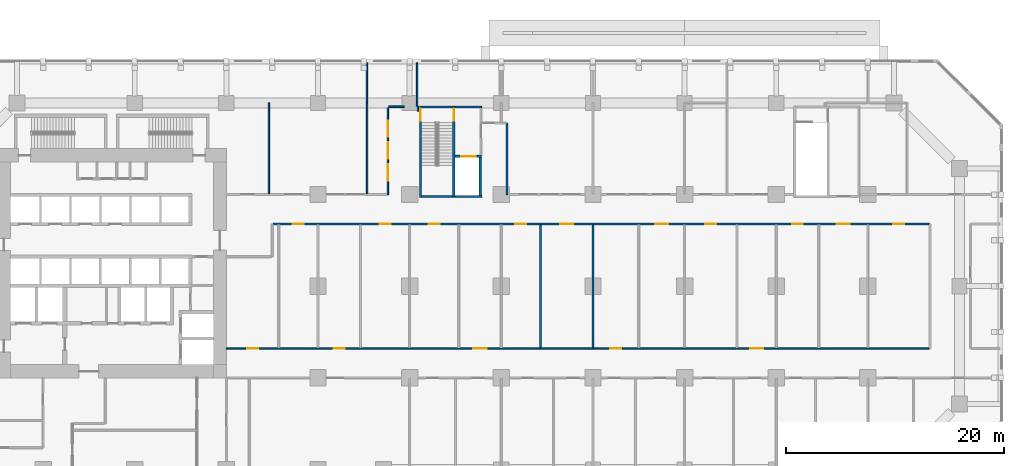
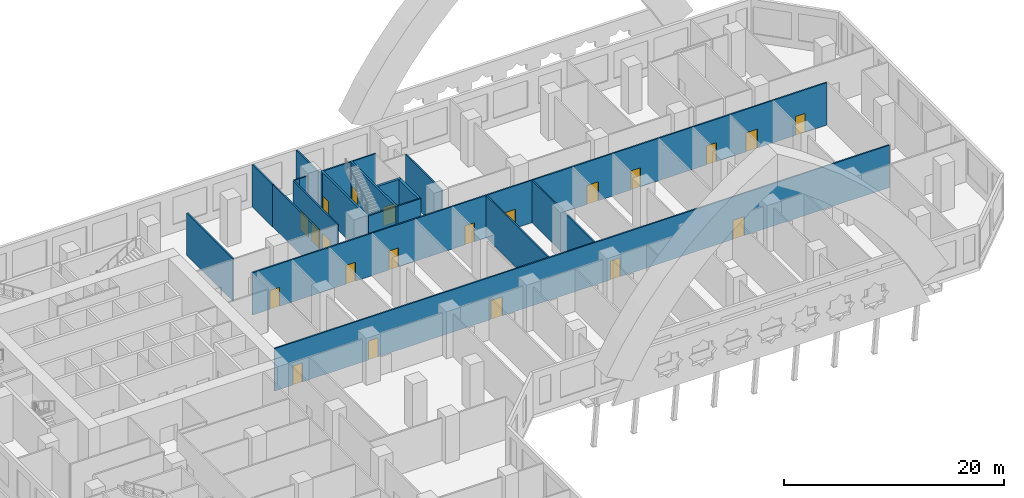
# One storey, part 13 of 25: 21 doors, 21 walls, 21 openings.
"""IFC4 building model written with IfcOpenShell, lengths in metres."""

from ifc_helpers import new_model, si_unit, direction, frame, frame_2d, origin, place, context, subcontext, project, spatial, rectangle, extrude, material, layer, layer_set, type_object, element, fill, save


model = new_model("IFC4")

# Units and contexts
model_context = context("Model", 3, precision=1e-05, world=origin(), true_north=direction((0.0, 1.0)))
body_context = subcontext(model_context, "Body", "Model", "MODEL_VIEW")
ifc_project = project(units=[si_unit("LENGTHUNIT", "METRE"), si_unit("AREAUNIT", "SQUARE_METRE"), si_unit("VOLUMEUNIT", "CUBIC_METRE"), si_unit("PLANEANGLEUNIT", "RADIAN"), si_unit("MASSUNIT", "GRAM", prefix="KILO")], contexts=[model_context])

# Site, building, storey
site_placement = place(None, origin())
site = spatial("IfcSite", under=ifc_project, at=site_placement, CompositionType="ELEMENT")
building_placement = place(site_placement, origin())
building = spatial("IfcBuilding", under=site, at=building_placement, Name="Kawkab Arch Medical Tower", CompositionType="ELEMENT")
storey_placement = place(building_placement, frame((0.0, 0.0, 29.0)))
storey = spatial("IfcBuildingStorey", under=building, at=storey_placement, Name="L06", CompositionType="ELEMENT", Elevation=29.0)

# Wall, opening, door
ifc_material_1 = material(Name="Concrete C60/75", Category="concrete")
ifc_layer_1 = layer(ifc_material_1, 0.25)
ifc_layer_set_1 = layer_set([ifc_layer_1], Name="Concrete C60/75")
wall_type_1 = type_object("IfcWallType", Name="Core shear wall 250 C60/75", PredefinedType="SHEAR", material=ifc_layer_set_1)
wall_1_placement = place(storey_placement, frame((46.14990234375, -4.89990234375, 0.0), z_axis=(0.0, 0.0, 1.0), x_axis=(1.0, 0.0, 0.0)))
wall_1 = element("IfcWall", 1, at=wall_1_placement, inside=storey, type_object=wall_type_1, Name="L06 core shear wall", PredefinedType="SHEAR", context=body_context, shape_type="SweptSolid", body=[
    extrude(rectangle(XDim=2.4501953125, YDim=0.25, at=frame_2d((1.22509765625, 0.0))), origin(), (0.0, 0.0, 1.0), 4.699951171875),
])
opening_1_placement = place(wall_1_placement, frame((0.60009765625, 0.0, 0.0)))
opening_1 = element("IfcOpeningElement", 2, at=opening_1_placement, cuts=wall_1, Name="Opening LD2", PredefinedType="OPENING", context=body_context, shape_type="SweptSolid", body=[
    extrude(rectangle(XDim=1.300048828125, YDim=2.10009765625, at=frame_2d((0.64990234375, 1.050048828125))), frame((0.0, 0.135009765625, 0.0), z_axis=(0.0, -1.0, 0.0), x_axis=(1.0, 0.0, 0.0)), (0.0, 0.0, 1.0), 0.27001953125),
])
ifc_material_2 = material(Name="Stainless steel lift door leaf", Category="steel")
door_type_1 = type_object("IfcDoorType", Name="Lift landing door 1300", OperationType="DOUBLE_DOOR_SLIDING", PredefinedType="DOOR", material=ifc_material_2)
door_1_placement = place(opening_1_placement, origin())
door_1 = element("IfcDoor", 3, at=door_1_placement, inside=storey, type_object=door_type_1, Name="L06 Lift landing door SV1", OperationType="DOUBLE_DOOR_SLIDING", OverallHeight=2.10009765625, OverallWidth=1.300048828125, PredefinedType="DOOR", context=body_context, shape_type="SweptSolid", body=[
    extrude(rectangle(XDim=1.300048828125, YDim=2.10009765625, at=frame_2d((0.64990234375, 1.050048828125))), frame((0.0, 0.02490234375, 0.0), z_axis=(0.0, -1.0, 0.0), x_axis=(1.0, 0.0, 0.0)), (0.0, 0.0, 1.0), 0.050048828125),
])
fill(opening_1, door_1)

# Wall
wall_2_placement = place(storey_placement, frame((48.47509765625, -8.5, 0.0), z_axis=(0.0, 0.0, 1.0), x_axis=(0.0, 1.0, 0.0)))
element("IfcWall", 4, at=wall_2_placement, inside=storey, type_object=wall_type_1, Name="L06 core shear wall", PredefinedType="SHEAR", context=body_context, shape_type="SweptSolid", body=[
    extrude(rectangle(XDim=3.47509765625, YDim=0.25, at=frame_2d((1.737548828125, 0.0))), origin(), (0.0, 0.0, 1.0), 4.699951171875),
])

# Wall, openings, doors
ifc_material_3 = material(Name="Gypsum board partition on steel studs, mineral wool", Category="steel")
ifc_layer_2 = layer(ifc_material_3, 0.14990234375)
ifc_layer_set_2 = layer_set([ifc_layer_2], Name="Gypsum board partition on steel studs, mineral wool")
wall_type_2 = type_object("IfcWallType", Name="Partition 150", PredefinedType="PARTITIONING", material=ifc_layer_set_2)
wall_3_placement = place(storey_placement, frame((25.199951171875, -22.5, 0.0), z_axis=(0.0, 0.0, 1.0), x_axis=(1.0, 0.0, 0.0)))
wall_3 = element("IfcWall", 5, at=wall_3_placement, inside=storey, type_object=wall_type_2, Name="Partition 150 w044", PredefinedType="PARTITIONING", context=body_context, shape_type="SweptSolid", body=[
    extrude(rectangle(XDim=64.425048828125, YDim=0.14990234375, at=frame_2d((32.21240234375, 0.0))), origin(), (0.0, 0.0, 1.0), 4.699951171875),
])
opening_2_placement = place(wall_3_placement, frame((1.89990234375, 0.0, 0.0)))
opening_2 = element("IfcOpeningElement", 6, at=opening_2_placement, cuts=wall_3, Name="Opening P06-023", PredefinedType="OPENING", context=body_context, shape_type="SweptSolid", body=[
    extrude(rectangle(XDim=1.0, YDim=2.10009765625, at=frame_2d((0.5, 1.050048828125))), frame((0.0, 0.0849609375, 0.0), z_axis=(0.0, -1.0, 0.0), x_axis=(1.0, 0.0, 0.0)), (0.0, 0.0, 1.0), 0.169921875),
])
opening_3_placement = place(wall_3_placement, frame((9.85009765625, 0.0, 0.0)))
opening_3 = element("IfcOpeningElement", 7, at=opening_3_placement, cuts=wall_3, Name="Opening P06-025", PredefinedType="OPENING", context=body_context, shape_type="SweptSolid", body=[
    extrude(rectangle(XDim=1.0, YDim=2.10009765625, at=frame_2d((0.5, 1.050048828125))), frame((0.0, 0.0849609375, 0.0), z_axis=(0.0, -1.0, 0.0), x_axis=(1.0, 0.0, 0.0)), (0.0, 0.0, 1.0), 0.169921875),
])
opening_4_placement = place(wall_3_placement, frame((22.64990234375, 0.0, 0.0)))
opening_4 = element("IfcOpeningElement", 8, at=opening_4_placement, cuts=wall_3, Name="Opening P06-076", PredefinedType="OPENING", context=body_context, shape_type="SweptSolid", body=[
    extrude(rectangle(XDim=1.199951171875, YDim=2.10009765625, at=frame_2d((0.60009765625, 1.050048828125))), frame((0.0, 0.0849609375, 0.0), z_axis=(0.0, -1.0, 0.0), x_axis=(1.0, 0.0, 0.0)), (0.0, 0.0, 1.0), 0.169921875),
])
opening_5_placement = place(wall_3_placement, frame((35.199951171875, 0.0, 0.0)))
opening_5 = element("IfcOpeningElement", 9, at=opening_5_placement, cuts=wall_3, Name="Opening P06-029", PredefinedType="OPENING", context=body_context, shape_type="SweptSolid", body=[
    extrude(rectangle(XDim=1.0, YDim=2.10009765625, at=frame_2d((0.5, 1.050048828125))), frame((0.0, 0.0849609375, 0.0), z_axis=(0.0, -1.0, 0.0), x_axis=(1.0, 0.0, 0.0)), (0.0, 0.0, 1.0), 0.169921875),
])
opening_6_placement = place(wall_3_placement, frame((48.0, 0.0, 0.0)))
opening_6 = element("IfcOpeningElement", 10, at=opening_6_placement, cuts=wall_3, Name="Opening P06-079", PredefinedType="OPENING", context=body_context, shape_type="SweptSolid", body=[
    extrude(rectangle(XDim=1.199951171875, YDim=2.10009765625, at=frame_2d((0.60009765625, 1.050048828125))), frame((0.0, 0.0849609375, 0.0), z_axis=(0.0, -1.0, 0.0), x_axis=(1.0, 0.0, 0.0)), (0.0, 0.0, 1.0), 0.169921875),
])
ifc_material_4 = material(Name="Hollow metal door leaf")
door_type_2 = type_object("IfcDoorType", Name="Single door 1000x2100 FD30S", OperationType="NOTDEFINED", PredefinedType="DOOR", material=ifc_material_4)
door_2_placement = place(opening_2_placement, origin())
door_2 = element("IfcDoor", 11, at=door_2_placement, inside=storey, type_object=door_type_2, Name="Door P06-023", OperationType="SINGLE_SWING_LEFT", OverallHeight=2.10009765625, OverallWidth=1.0, PredefinedType="DOOR", context=body_context, shape_type="SweptSolid", body=[
    extrude(rectangle(XDim=1.0, YDim=2.10009765625, at=frame_2d((0.5, 1.050048828125))), frame((0.0, 0.02490234375, 0.0), z_axis=(0.0, -1.0, 0.0), x_axis=(1.0, 0.0, 0.0)), (0.0, 0.0, 1.0), 0.050048828125),
])
fill(opening_2, door_2)
door_3_placement = place(opening_3_placement, origin())
door_3 = element("IfcDoor", 12, at=door_3_placement, inside=storey, type_object=door_type_2, Name="Door P06-025", OperationType="SINGLE_SWING_LEFT", OverallHeight=2.10009765625, OverallWidth=1.0, PredefinedType="DOOR", context=body_context, shape_type="SweptSolid", body=[
    extrude(rectangle(XDim=1.0, YDim=2.10009765625, at=frame_2d((0.5, 1.050048828125))), frame((0.0, 0.02490234375, 0.0), z_axis=(0.0, -1.0, 0.0), x_axis=(1.0, 0.0, 0.0)), (0.0, 0.0, 1.0), 0.050048828125),
])
fill(opening_3, door_3)
door_4_placement = place(opening_5_placement, origin())
door_4 = element("IfcDoor", 13, at=door_4_placement, inside=storey, type_object=door_type_2, Name="Door P06-029", OperationType="SINGLE_SWING_RIGHT", OverallHeight=2.10009765625, OverallWidth=1.0, PredefinedType="DOOR", context=body_context, shape_type="SweptSolid", body=[
    extrude(rectangle(XDim=1.0, YDim=2.10009765625, at=frame_2d((0.5, 1.050048828125))), frame((0.0, 0.02490234375, 0.0), z_axis=(0.0, -1.0, 0.0), x_axis=(1.0, 0.0, 0.0)), (0.0, 0.0, 1.0), 0.050048828125),
])
fill(opening_5, door_4)
ifc_material_5 = material(Name="Hollow metal door leaf")
door_type_3 = type_object("IfcDoorType", Name="Single door 1200x2100 FD30S", OperationType="NOTDEFINED", PredefinedType="DOOR", material=ifc_material_5)
door_5_placement = place(opening_4_placement, origin())
door_5 = element("IfcDoor", 14, at=door_5_placement, inside=storey, type_object=door_type_3, Name="Door P06-076", OperationType="SINGLE_SWING_LEFT", OverallHeight=2.10009765625, OverallWidth=1.199951171875, PredefinedType="DOOR", context=body_context, shape_type="SweptSolid", body=[
    extrude(rectangle(XDim=1.199951171875, YDim=2.10009765625, at=frame_2d((0.60009765625, 1.050048828125))), frame((0.0, 0.02490234375, 0.0), z_axis=(0.0, -1.0, 0.0), x_axis=(1.0, 0.0, 0.0)), (0.0, 0.0, 1.0), 0.050048828125),
])
fill(opening_4, door_5)
door_6_placement = place(opening_6_placement, origin())
door_6 = element("IfcDoor", 15, at=door_6_placement, inside=storey, type_object=door_type_3, Name="Door P06-079", OperationType="SINGLE_SWING_RIGHT", OverallHeight=2.10009765625, OverallWidth=1.199951171875, PredefinedType="DOOR", context=body_context, shape_type="SweptSolid", body=[
    extrude(rectangle(XDim=1.199951171875, YDim=2.10009765625, at=frame_2d((0.60009765625, 1.050048828125))), frame((0.0, 0.02490234375, 0.0), z_axis=(0.0, -1.0, 0.0), x_axis=(1.0, 0.0, 0.0)), (0.0, 0.0, 1.0), 0.050048828125),
])
fill(opening_6, door_6)

wall_4_placement = place(storey_placement, frame((29.47509765625, -11.10009765625, 0.0), z_axis=(0.0, 0.0, 1.0), x_axis=(1.0, 0.0, 0.0)))
wall_4 = element("IfcWall", 16, at=wall_4_placement, inside=storey, type_object=wall_type_2, Name="Partition 150 w047", PredefinedType="PARTITIONING", context=body_context, shape_type="SweptSolid", body=[
    extrude(rectangle(XDim=60.14990234375, YDim=0.14990234375, at=frame_2d((30.074951171875, 0.0))), origin(), (0.0, 0.0, 1.0), 4.699951171875),
])
opening_7_placement = place(wall_4_placement, frame((1.824951171875, 0.0, 0.0)))
opening_7 = element("IfcOpeningElement", 17, at=opening_7_placement, cuts=wall_4, Name="Opening P06-024", PredefinedType="OPENING", context=body_context, shape_type="SweptSolid", body=[
    extrude(rectangle(XDim=1.0, YDim=2.10009765625, at=frame_2d((0.5, 1.050048828125))), frame((0.0, 0.0849609375, 0.0), z_axis=(0.0, -1.0, 0.0), x_axis=(1.0, 0.0, 0.0)), (0.0, 0.0, 1.0), 0.169921875),
])
opening_8_placement = place(wall_4_placement, frame((9.77490234375, 0.0, 0.0)))
opening_8 = element("IfcOpeningElement", 18, at=opening_8_placement, cuts=wall_4, Name="Opening P06-026", PredefinedType="OPENING", context=body_context, shape_type="SweptSolid", body=[
    extrude(rectangle(XDim=1.0, YDim=2.10009765625, at=frame_2d((0.5, 1.050048828125))), frame((0.0, 0.0849609375, 0.0), z_axis=(0.0, -1.0, 0.0), x_axis=(1.0, 0.0, 0.0)), (0.0, 0.0, 1.0), 0.169921875),
])
opening_9_placement = place(wall_4_placement, frame((14.27490234375, 0.0, 0.0)))
opening_9 = element("IfcOpeningElement", 19, at=opening_9_placement, cuts=wall_4, Name="Opening P06-027", PredefinedType="OPENING", context=body_context, shape_type="SweptSolid", body=[
    extrude(rectangle(XDim=1.0, YDim=2.10009765625, at=frame_2d((0.5, 1.050048828125))), frame((0.0, 0.0849609375, 0.0), z_axis=(0.0, -1.0, 0.0), x_axis=(1.0, 0.0, 0.0)), (0.0, 0.0, 1.0), 0.169921875),
])
opening_10_placement = place(wall_4_placement, frame((22.22509765625, 0.0, 0.0)))
opening_10 = element("IfcOpeningElement", 20, at=opening_10_placement, cuts=wall_4, Name="Opening P06-028", PredefinedType="OPENING", context=body_context, shape_type="SweptSolid", body=[
    extrude(rectangle(XDim=1.0, YDim=2.10009765625, at=frame_2d((0.5, 1.050048828125))), frame((0.0, 0.0849609375, 0.0), z_axis=(0.0, -1.0, 0.0), x_axis=(1.0, 0.0, 0.0)), (0.0, 0.0, 1.0), 0.169921875),
])
opening_11_placement = place(wall_4_placement, frame((26.324951171875, 0.0, 0.0)))
opening_11 = element("IfcOpeningElement", 21, at=opening_11_placement, cuts=wall_4, Name="Opening P06-077", PredefinedType="OPENING", context=body_context, shape_type="SweptSolid", body=[
    extrude(rectangle(XDim=1.199951171875, YDim=2.10009765625, at=frame_2d((0.60009765625, 1.050048828125))), frame((0.0, 0.0849609375, 0.0), z_axis=(0.0, -1.0, 0.0), x_axis=(1.0, 0.0, 0.0)), (0.0, 0.0, 1.0), 0.169921875),
])
opening_12_placement = place(wall_4_placement, frame((35.02490234375, 0.0, 0.0)))
opening_12 = element("IfcOpeningElement", 22, at=opening_12_placement, cuts=wall_4, Name="Opening P06-078", PredefinedType="OPENING", context=body_context, shape_type="SweptSolid", body=[
    extrude(rectangle(XDim=1.199951171875, YDim=2.10009765625, at=frame_2d((0.60009765625, 1.050048828125))), frame((0.0, 0.0849609375, 0.0), z_axis=(0.0, -1.0, 0.0), x_axis=(1.0, 0.0, 0.0)), (0.0, 0.0, 1.0), 0.169921875),
])
opening_13_placement = place(wall_4_placement, frame((39.625, 0.0, 0.0)))
opening_13 = element("IfcOpeningElement", 23, at=opening_13_placement, cuts=wall_4, Name="Opening P06-030", PredefinedType="OPENING", context=body_context, shape_type="SweptSolid", body=[
    extrude(rectangle(XDim=1.0, YDim=2.10009765625, at=frame_2d((0.5, 1.050048828125))), frame((0.0, 0.0849609375, 0.0), z_axis=(0.0, -1.0, 0.0), x_axis=(1.0, 0.0, 0.0)), (0.0, 0.0, 1.0), 0.169921875),
])
opening_14_placement = place(wall_4_placement, frame((47.574951171875, 0.0, 0.0)))
opening_14 = element("IfcOpeningElement", 24, at=opening_14_placement, cuts=wall_4, Name="Opening P06-031", PredefinedType="OPENING", context=body_context, shape_type="SweptSolid", body=[
    extrude(rectangle(XDim=1.0, YDim=2.10009765625, at=frame_2d((0.5, 1.050048828125))), frame((0.0, 0.0849609375, 0.0), z_axis=(0.0, -1.0, 0.0), x_axis=(1.0, 0.0, 0.0)), (0.0, 0.0, 1.0), 0.169921875),
])
opening_15_placement = place(wall_4_placement, frame((51.675048828125, 0.0, 0.0)))
opening_15 = element("IfcOpeningElement", 25, at=opening_15_placement, cuts=wall_4, Name="Opening P06-080", PredefinedType="OPENING", context=body_context, shape_type="SweptSolid", body=[
    extrude(rectangle(XDim=1.199951171875, YDim=2.10009765625, at=frame_2d((0.60009765625, 1.050048828125))), frame((0.0, 0.0849609375, 0.0), z_axis=(0.0, -1.0, 0.0), x_axis=(1.0, 0.0, 0.0)), (0.0, 0.0, 1.0), 0.169921875),
])
opening_16_placement = place(wall_4_placement, frame((56.875, 0.0, 0.0)))
opening_16 = element("IfcOpeningElement", 26, at=opening_16_placement, cuts=wall_4, Name="Opening P06-032", PredefinedType="OPENING", context=body_context, shape_type="SweptSolid", body=[
    extrude(rectangle(XDim=1.0, YDim=2.10009765625, at=frame_2d((0.5, 1.050048828125))), frame((0.0, 0.0849609375, 0.0), z_axis=(0.0, -1.0, 0.0), x_axis=(1.0, 0.0, 0.0)), (0.0, 0.0, 1.0), 0.169921875),
])
door_7_placement = place(opening_7_placement, origin())
door_7 = element("IfcDoor", 27, at=door_7_placement, inside=storey, type_object=door_type_2, Name="Door P06-024", OperationType="SINGLE_SWING_RIGHT", OverallHeight=2.10009765625, OverallWidth=1.0, PredefinedType="DOOR", context=body_context, shape_type="SweptSolid", body=[
    extrude(rectangle(XDim=1.0, YDim=2.10009765625, at=frame_2d((0.5, 1.050048828125))), frame((0.0, 0.02490234375, 0.0), z_axis=(0.0, -1.0, 0.0), x_axis=(1.0, 0.0, 0.0)), (0.0, 0.0, 1.0), 0.050048828125),
])
fill(opening_7, door_7)
door_8_placement = place(opening_8_placement, origin())
door_8 = element("IfcDoor", 28, at=door_8_placement, inside=storey, type_object=door_type_2, Name="Door P06-026", OperationType="SINGLE_SWING_RIGHT", OverallHeight=2.10009765625, OverallWidth=1.0, PredefinedType="DOOR", context=body_context, shape_type="SweptSolid", body=[
    extrude(rectangle(XDim=1.0, YDim=2.10009765625, at=frame_2d((0.5, 1.050048828125))), frame((0.0, 0.02490234375, 0.0), z_axis=(0.0, -1.0, 0.0), x_axis=(1.0, 0.0, 0.0)), (0.0, 0.0, 1.0), 0.050048828125),
])
fill(opening_8, door_8)
door_9_placement = place(opening_9_placement, origin())
door_9 = element("IfcDoor", 29, at=door_9_placement, inside=storey, type_object=door_type_2, Name="Door P06-027", OperationType="SINGLE_SWING_RIGHT", OverallHeight=2.10009765625, OverallWidth=1.0, PredefinedType="DOOR", context=body_context, shape_type="SweptSolid", body=[
    extrude(rectangle(XDim=1.0, YDim=2.10009765625, at=frame_2d((0.5, 1.050048828125))), frame((0.0, 0.02490234375, 0.0), z_axis=(0.0, -1.0, 0.0), x_axis=(1.0, 0.0, 0.0)), (0.0, 0.0, 1.0), 0.050048828125),
])
fill(opening_9, door_9)
door_10_placement = place(opening_10_placement, origin())
door_10 = element("IfcDoor", 30, at=door_10_placement, inside=storey, type_object=door_type_2, Name="Door P06-028", OperationType="SINGLE_SWING_RIGHT", OverallHeight=2.10009765625, OverallWidth=1.0, PredefinedType="DOOR", context=body_context, shape_type="SweptSolid", body=[
    extrude(rectangle(XDim=1.0, YDim=2.10009765625, at=frame_2d((0.5, 1.050048828125))), frame((0.0, 0.02490234375, 0.0), z_axis=(0.0, -1.0, 0.0), x_axis=(1.0, 0.0, 0.0)), (0.0, 0.0, 1.0), 0.050048828125),
])
fill(opening_10, door_10)
door_11_placement = place(opening_13_placement, origin())
door_11 = element("IfcDoor", 31, at=door_11_placement, inside=storey, type_object=door_type_2, Name="Door P06-030", OperationType="SINGLE_SWING_LEFT", OverallHeight=2.10009765625, OverallWidth=1.0, PredefinedType="DOOR", context=body_context, shape_type="SweptSolid", body=[
    extrude(rectangle(XDim=1.0, YDim=2.10009765625, at=frame_2d((0.5, 1.050048828125))), frame((0.0, 0.02490234375, 0.0), z_axis=(0.0, -1.0, 0.0), x_axis=(1.0, 0.0, 0.0)), (0.0, 0.0, 1.0), 0.050048828125),
])
fill(opening_13, door_11)
door_12_placement = place(opening_14_placement, origin())
door_12 = element("IfcDoor", 32, at=door_12_placement, inside=storey, type_object=door_type_2, Name="Door P06-031", OperationType="SINGLE_SWING_LEFT", OverallHeight=2.10009765625, OverallWidth=1.0, PredefinedType="DOOR", context=body_context, shape_type="SweptSolid", body=[
    extrude(rectangle(XDim=1.0, YDim=2.10009765625, at=frame_2d((0.5, 1.050048828125))), frame((0.0, 0.02490234375, 0.0), z_axis=(0.0, -1.0, 0.0), x_axis=(1.0, 0.0, 0.0)), (0.0, 0.0, 1.0), 0.050048828125),
])
fill(opening_14, door_12)
door_13_placement = place(opening_16_placement, origin())
door_13 = element("IfcDoor", 33, at=door_13_placement, inside=storey, type_object=door_type_2, Name="Door P06-032", OperationType="SINGLE_SWING_LEFT", OverallHeight=2.10009765625, OverallWidth=1.0, PredefinedType="DOOR", context=body_context, shape_type="SweptSolid", body=[
    extrude(rectangle(XDim=1.0, YDim=2.10009765625, at=frame_2d((0.5, 1.050048828125))), frame((0.0, 0.02490234375, 0.0), z_axis=(0.0, -1.0, 0.0), x_axis=(1.0, 0.0, 0.0)), (0.0, 0.0, 1.0), 0.050048828125),
])
fill(opening_16, door_13)
door_14_placement = place(opening_11_placement, origin())
door_14 = element("IfcDoor", 34, at=door_14_placement, inside=storey, type_object=door_type_3, Name="Door P06-077", OperationType="SINGLE_SWING_RIGHT", OverallHeight=2.10009765625, OverallWidth=1.199951171875, PredefinedType="DOOR", context=body_context, shape_type="SweptSolid", body=[
    extrude(rectangle(XDim=1.199951171875, YDim=2.10009765625, at=frame_2d((0.60009765625, 1.050048828125))), frame((0.0, 0.02490234375, 0.0), z_axis=(0.0, -1.0, 0.0), x_axis=(1.0, 0.0, 0.0)), (0.0, 0.0, 1.0), 0.050048828125),
])
fill(opening_11, door_14)
door_15_placement = place(opening_12_placement, origin())
door_15 = element("IfcDoor", 35, at=door_15_placement, inside=storey, type_object=door_type_3, Name="Door P06-078", OperationType="SINGLE_SWING_LEFT", OverallHeight=2.10009765625, OverallWidth=1.199951171875, PredefinedType="DOOR", context=body_context, shape_type="SweptSolid", body=[
    extrude(rectangle(XDim=1.199951171875, YDim=2.10009765625, at=frame_2d((0.60009765625, 1.050048828125))), frame((0.0, 0.02490234375, 0.0), z_axis=(0.0, -1.0, 0.0), x_axis=(1.0, 0.0, 0.0)), (0.0, 0.0, 1.0), 0.050048828125),
])
fill(opening_12, door_15)
door_16_placement = place(opening_15_placement, origin())
door_16 = element("IfcDoor", 36, at=door_16_placement, inside=storey, type_object=door_type_3, Name="Door P06-080", OperationType="SINGLE_SWING_LEFT", OverallHeight=2.10009765625, OverallWidth=1.199951171875, PredefinedType="DOOR", context=body_context, shape_type="SweptSolid", body=[
    extrude(rectangle(XDim=1.199951171875, YDim=2.10009765625, at=frame_2d((0.60009765625, 1.050048828125))), frame((0.0, 0.02490234375, 0.0), z_axis=(0.0, -1.0, 0.0), x_axis=(1.0, 0.0, 0.0)), (0.0, 0.0, 1.0), 0.050048828125),
])
fill(opening_15, door_16)

# Walls
wall_5_placement = place(storey_placement, frame((40.075927734375, -0.35009765625, 0.0), z_axis=(0.0, 0.0, 1.0), x_axis=(1.0, 0.0, 0.0)))
element("IfcWall", 37, at=wall_5_placement, inside=storey, type_object=wall_type_2, Name="Partition 150 w053", PredefinedType="PARTITIONING", context=body_context, shape_type="SweptSolid", body=[
    extrude(rectangle(XDim=0.524169921875, YDim=0.14990234375, at=frame_2d((0.26220703125, 0.0))), origin(), (0.0, 0.0, 1.0), 4.699951171875),
])
wall_6_placement = place(storey_placement, frame((40.6201171875, -0.35009765625, 0.0), z_axis=(0.0, 0.0, 1.0), x_axis=(1.0, 0.0, 0.0)))
element("IfcWall", 38, at=wall_6_placement, inside=storey, type_object=wall_type_2, Name="Partition 150 w054", PredefinedType="PARTITIONING", context=body_context, shape_type="SweptSolid", body=[
    extrude(rectangle(XDim=0.867919921875, YDim=0.14990234375, at=frame_2d((0.43408203125, 0.0))), origin(), (0.0, 0.0, 1.0), 4.699951171875),
])
wall_7_placement = place(storey_placement, frame((29.10009765625, -8.324951171875, 0.0), z_axis=(0.0, 0.0, 1.0), x_axis=(0.0, 1.0, 0.0)))
element("IfcWall", 39, at=wall_7_placement, inside=storey, type_object=wall_type_2, Name="Partition 150 w073", PredefinedType="PARTITIONING", context=body_context, shape_type="SweptSolid", body=[
    extrude(rectangle(XDim=8.322998046875, YDim=0.14990234375, at=frame_2d((4.16162109375, 0.0))), origin(), (0.0, 0.0, 1.0), 4.699951171875),
])
wall_8_placement = place(storey_placement, frame((38.080078125, 0.02001953125, 0.0), z_axis=(0.0, 0.0, 1.0), x_axis=(0.0, 1.0, 0.0)))
element("IfcWall", 40, at=wall_8_placement, inside=storey, type_object=wall_type_2, Name="Partition 150 w078", PredefinedType="PARTITIONING", context=body_context, shape_type="SweptSolid", body=[
    extrude(rectangle(XDim=3.659912109375, YDim=0.14990234375, at=frame_2d((1.830078125, 0.0))), origin(), (0.0, 0.0, 1.0), 4.699951171875),
])
wall_9_placement = place(storey_placement, frame((38.10009765625, -8.324951171875, 0.0), z_axis=(0.0, 0.0, 1.0), x_axis=(0.0, 1.0, 0.0)))
element("IfcWall", 41, at=wall_9_placement, inside=storey, type_object=wall_type_2, Name="Partition 150 w079", PredefinedType="PARTITIONING", context=body_context, shape_type="SweptSolid", body=[
    extrude(rectangle(XDim=8.322021484375, YDim=0.14990234375, at=frame_2d((4.1611328125, 0.0))), origin(), (0.0, 0.0, 1.0), 4.699951171875),
])

# Wall, openings, doors
wall_10_placement = place(storey_placement, frame((40.007080078125, -8.39990234375, 0.0), z_axis=(0.0, 0.0, 1.0), x_axis=(0.0, 1.0, 0.0)))
wall_10 = element("IfcWall", 42, at=wall_10_placement, inside=storey, type_object=wall_type_2, Name="Partition 150 w081", PredefinedType="PARTITIONING", context=body_context, shape_type="SweptSolid", body=[
    extrude(rectangle(XDim=7.974853515625, YDim=0.14990234375, at=frame_2d((3.9873046875, 0.0))), origin(), (0.0, 0.0, 1.0), 4.699951171875),
])
opening_17_placement = place(wall_10_placement, frame((1.261962890625, 0.0, 0.0)))
opening_17 = element("IfcOpeningElement", 43, at=opening_17_placement, cuts=wall_10, Name="Opening P06-005", PredefinedType="OPENING", context=body_context, shape_type="SweptSolid", body=[
    extrude(rectangle(XDim=1.5, YDim=2.10009765625, at=frame_2d((0.75, 1.050048828125))), frame((0.0, 0.0849609375, 0.0), z_axis=(0.0, -1.0, 0.0), x_axis=(1.0, 0.0, 0.0)), (0.0, 0.0, 1.0), 0.169921875),
])
opening_18_placement = place(wall_10_placement, frame((3.27392578125, 0.0, 0.0)))
opening_18 = element("IfcOpeningElement", 44, at=opening_18_placement, cuts=wall_10, Name="Opening P06-006", PredefinedType="OPENING", context=body_context, shape_type="SweptSolid", body=[
    extrude(rectangle(XDim=1.5, YDim=2.10009765625, at=frame_2d((0.75, 1.050048828125))), frame((0.0, 0.0849609375, 0.0), z_axis=(0.0, -1.0, 0.0), x_axis=(1.0, 0.0, 0.0)), (0.0, 0.0, 1.0), 0.169921875),
])
opening_19_placement = place(wall_10_placement, frame((5.285888671875, 0.0, 0.0)))
opening_19 = element("IfcOpeningElement", 45, at=opening_19_placement, cuts=wall_10, Name="Opening P06-007", PredefinedType="OPENING", context=body_context, shape_type="SweptSolid", body=[
    extrude(rectangle(XDim=1.5, YDim=2.10009765625, at=frame_2d((0.75, 1.050048828125))), frame((0.0, 0.0849609375, 0.0), z_axis=(0.0, -1.0, 0.0), x_axis=(1.0, 0.0, 0.0)), (0.0, 0.0, 1.0), 0.169921875),
])
ifc_material_6 = material(Name="Hollow metal door leaf")
door_type_4 = type_object("IfcDoorType", Name="Double door 1500x2100 FD30S", OperationType="NOTDEFINED", PredefinedType="DOOR", material=ifc_material_6)
door_17_placement = place(opening_17_placement, origin())
door_17 = element("IfcDoor", 46, at=door_17_placement, inside=storey, type_object=door_type_4, Name="Door P06-005", OperationType="DOUBLE_DOOR_SINGLE_SWING", OverallHeight=2.10009765625, OverallWidth=1.5, PredefinedType="DOOR", context=body_context, shape_type="SweptSolid", body=[
    extrude(rectangle(XDim=1.5, YDim=2.10009765625, at=frame_2d((0.75, 1.050048828125))), frame((0.0, 0.02490234375, 0.0), z_axis=(0.0, -1.0, 0.0), x_axis=(1.0, 0.0, 0.0)), (0.0, 0.0, 1.0), 0.050048828125),
])
fill(opening_17, door_17)
door_18_placement = place(opening_18_placement, origin())
door_18 = element("IfcDoor", 47, at=door_18_placement, inside=storey, type_object=door_type_4, Name="Door P06-006", OperationType="DOUBLE_DOOR_SINGLE_SWING", OverallHeight=2.10009765625, OverallWidth=1.5, PredefinedType="DOOR", context=body_context, shape_type="SweptSolid", body=[
    extrude(rectangle(XDim=1.5, YDim=2.10009765625, at=frame_2d((0.75, 1.050048828125))), frame((0.0, 0.02490234375, 0.0), z_axis=(0.0, -1.0, 0.0), x_axis=(1.0, 0.0, 0.0)), (0.0, 0.0, 1.0), 0.050048828125),
])
fill(opening_18, door_18)
door_19_placement = place(opening_19_placement, origin())
door_19 = element("IfcDoor", 48, at=door_19_placement, inside=storey, type_object=door_type_4, Name="Door P06-007", OperationType="DOUBLE_DOOR_SINGLE_SWING", OverallHeight=2.10009765625, OverallWidth=1.5, PredefinedType="DOOR", context=body_context, shape_type="SweptSolid", body=[
    extrude(rectangle(XDim=1.5, YDim=2.10009765625, at=frame_2d((0.75, 1.050048828125))), frame((0.0, 0.02490234375, 0.0), z_axis=(0.0, -1.0, 0.0), x_axis=(1.0, 0.0, 0.0)), (0.0, 0.0, 1.0), 0.050048828125),
])
fill(opening_19, door_19)

# Walls
wall_11_placement = place(storey_placement, frame((42.679931640625, -0.300048828125, 0.0), z_axis=(0.0, 0.0, 1.0), x_axis=(0.0, 1.0, 0.0)))
element("IfcWall", 49, at=wall_11_placement, inside=storey, type_object=wall_type_2, Name="Partition 150 w084", PredefinedType="PARTITIONING", context=body_context, shape_type="SweptSolid", body=[
    extrude(rectangle(XDim=3.97998046875, YDim=0.14990234375, at=frame_2d((1.989990234375, 0.0))), origin(), (0.0, 0.0, 1.0), 4.699951171875),
])
wall_12_placement = place(storey_placement, frame((42.75, -0.75, 0.0), z_axis=(0.0, 0.0, 1.0), x_axis=(0.0, 1.0, 0.0)))
element("IfcWall", 50, at=wall_12_placement, inside=storey, type_object=wall_type_2, Name="Partition 150 w085", PredefinedType="PARTITIONING", context=body_context, shape_type="SweptSolid", body=[
    extrude(rectangle(XDim=0.449951171875, YDim=0.14990234375, at=frame_2d((0.22509765625, 0.0))), origin(), (0.0, 0.0, 1.0), 4.699951171875),
])
wall_13_placement = place(storey_placement, frame((50.925048828125, -8.39990234375, 0.0), z_axis=(0.0, 0.0, 1.0), x_axis=(0.0, 1.0, 0.0)))
element("IfcWall", 51, at=wall_13_placement, inside=storey, type_object=wall_type_2, Name="Partition 150 w092", PredefinedType="PARTITIONING", context=body_context, shape_type="SweptSolid", body=[
    extrude(rectangle(XDim=6.5478515625, YDim=0.14990234375, at=frame_2d((3.27392578125, 0.0))), origin(), (0.0, 0.0, 1.0), 4.699951171875),
])
for number, where, z_axis, x_axis, name in (
    (52, (54.0, -22.425048828125, 0.0), (0.0, 0.0, 1.0), (0.0, 1.0, 0.0), "Partition 150 w093"),
    (53, (58.800048828125, -22.425048828125, 0.0), (0.0, 0.0, 1.0), (0.0, 1.0, 0.0), "Partition 150 w096"),
):
    element("IfcWall", number, at=place(storey_placement, frame(where, z_axis=z_axis, x_axis=x_axis)), inside=storey, type_object=wall_type_2, Name=name, PredefinedType="PARTITIONING", context=body_context, shape_type="SweptSolid", body=[
        extrude(rectangle(XDim=11.25, YDim=0.14990234375, at=frame_2d((5.625, 0.0))), origin(), (0.0, 0.0, 1.0), 4.699951171875),
    ])
ifc_material_7 = material(Name="Concrete C50/60", Category="concrete")
ifc_layer_3 = layer(ifc_material_7, 0.14990234375)
ifc_layer_set_3 = layer_set([ifc_layer_3], Name="Concrete C50/60")
wall_type_3 = type_object("IfcWallType", Name="Stair enclosure wall 150 C50/60", PredefinedType="SHEAR", material=ifc_layer_set_3)
wall_14_placement = place(storey_placement, frame((43.10009765625, -0.375, 0.0), z_axis=(0.0, 0.0, 1.0), x_axis=(1.0, 0.0, 0.0)))
element("IfcWall", 54, at=wall_14_placement, inside=storey, type_object=wall_type_3, Name="L06 stair enclosure wall", PredefinedType="SHEAR", context=body_context, shape_type="SweptSolid", body=[
    extrude(rectangle(XDim=2.849853515625, YDim=0.14990234375, at=frame_2d((1.4248046875, 0.0))), origin(), (0.0, 0.0, 1.0), 4.699951171875),
])
wall_15_placement = place(storey_placement, frame((46.14990234375, -0.375, 0.0), z_axis=(0.0, 0.0, 1.0), x_axis=(1.0, 0.0, 0.0)))
element("IfcWall", 55, at=wall_15_placement, inside=storey, type_object=wall_type_3, Name="L06 stair enclosure wall", PredefinedType="SHEAR", context=body_context, shape_type="SweptSolid", body=[
    extrude(rectangle(XDim=2.4501953125, YDim=0.14990234375, at=frame_2d((1.22509765625, 0.0))), origin(), (0.0, 0.0, 1.0), 4.699951171875),
])
wall_16_placement = place(storey_placement, frame((43.10009765625, -8.574951171875, 0.0), z_axis=(0.0, 0.0, 1.0), x_axis=(1.0, 0.0, 0.0)))
element("IfcWall", 56, at=wall_16_placement, inside=storey, type_object=wall_type_3, Name="L06 stair enclosure wall", PredefinedType="SHEAR", context=body_context, shape_type="SweptSolid", body=[
    extrude(rectangle(XDim=2.849853515625, YDim=0.14990234375, at=frame_2d((1.4248046875, 0.0))), origin(), (0.0, 0.0, 1.0), 4.699951171875),
])
wall_17_placement = place(storey_placement, frame((46.14990234375, -8.574951171875, 0.0), z_axis=(0.0, 0.0, 1.0), x_axis=(1.0, 0.0, 0.0)))
element("IfcWall", 57, at=wall_17_placement, inside=storey, type_object=wall_type_3, Name="L06 stair enclosure wall", PredefinedType="SHEAR", context=body_context, shape_type="SweptSolid", body=[
    extrude(rectangle(XDim=2.4501953125, YDim=0.14990234375, at=frame_2d((1.22509765625, 0.0))), origin(), (0.0, 0.0, 1.0), 4.699951171875),
])

# Wall, opening, door
ifc_material_8 = material(Name="Concrete C50/60", Category="concrete")
ifc_layer_4 = layer(ifc_material_8, 0.199951171875)
ifc_layer_set_4 = layer_set([ifc_layer_4], Name="Concrete C50/60")
wall_type_4 = type_object("IfcWallType", Name="Stair enclosure wall 200 C50/60", PredefinedType="SHEAR", material=ifc_layer_set_4)
wall_18_placement = place(storey_placement, frame((43.0, -8.64990234375, 0.0), z_axis=(0.0, 0.0, 1.0), x_axis=(0.0, 1.0, 0.0)))
wall_18 = element("IfcWall", 58, at=wall_18_placement, inside=storey, type_object=wall_type_4, Name="L06 stair enclosure wall", PredefinedType="SHEAR", context=body_context, shape_type="SweptSolid", body=[
    extrude(rectangle(XDim=8.349853515625, YDim=0.199951171875, at=frame_2d((4.1748046875, 0.0))), origin(), (0.0, 0.0, 1.0), 4.699951171875),
])
opening_20_placement = place(wall_18_placement, frame((7.0, 0.0, 0.0)))
opening_20 = element("IfcOpeningElement", 59, at=opening_20_placement, cuts=wall_18, Name="Opening SD", PredefinedType="OPENING", context=body_context, shape_type="SweptSolid", body=[
    extrude(rectangle(XDim=1.10009765625, YDim=2.10009765625, at=frame_2d((0.550048828125, 1.050048828125))), frame((0.0, 0.10986328125, 0.0), z_axis=(0.0, -1.0, 0.0), x_axis=(1.0, 0.0, 0.0)), (0.0, 0.0, 1.0), 0.219970703125),
])
ifc_material_9 = material(Name="Hollow metal fire door leaf")
door_type_5 = type_object("IfcDoorType", Name="Exit stair door 1100", OperationType="SINGLE_SWING_LEFT", PredefinedType="DOOR", material=ifc_material_9)
door_20_placement = place(opening_20_placement, frame((1.10009765625, 0.0, 0.0), z_axis=(0.0, 0.0, 1.0), x_axis=(-1.0, 0.0, 0.0)))
door_20 = element("IfcDoor", 60, at=door_20_placement, inside=storey, type_object=door_type_5, Name="L06 Exit stair ST5 door", OperationType="SINGLE_SWING_LEFT", OverallHeight=2.10009765625, OverallWidth=1.10009765625, PredefinedType="DOOR", context=body_context, shape_type="SweptSolid", body=[
    extrude(rectangle(XDim=1.10009765625, YDim=2.10009765625, at=frame_2d((0.550048828125, 1.050048828125))), frame((0.0, 0.02490234375, 0.0), z_axis=(0.0, -1.0, 0.0), x_axis=(1.0, 0.0, 0.0)), (0.0, 0.0, 1.0), 0.050048828125),
])
fill(opening_20, door_20)

wall_19_placement = place(storey_placement, frame((46.050048828125, -8.64990234375, 0.0), z_axis=(0.0, 0.0, 1.0), x_axis=(0.0, 1.0, 0.0)))
wall_19 = element("IfcWall", 61, at=wall_19_placement, inside=storey, type_object=wall_type_4, Name="L06 stair enclosure wall", PredefinedType="SHEAR", context=body_context, shape_type="SweptSolid", body=[
    extrude(rectangle(XDim=8.349853515625, YDim=0.199951171875, at=frame_2d((4.1748046875, 0.0))), origin(), (0.0, 0.0, 1.0), 4.699951171875),
])
opening_21_placement = place(wall_19_placement, frame((7.0, 0.0, 0.0)))
opening_21 = element("IfcOpeningElement", 62, at=opening_21_placement, cuts=wall_19, Name="Opening SD", PredefinedType="OPENING", context=body_context, shape_type="SweptSolid", body=[
    extrude(rectangle(XDim=1.10009765625, YDim=2.10009765625, at=frame_2d((0.550048828125, 1.050048828125))), frame((0.0, 0.10986328125, 0.0), z_axis=(0.0, -1.0, 0.0), x_axis=(1.0, 0.0, 0.0)), (0.0, 0.0, 1.0), 0.219970703125),
])
door_21_placement = place(opening_21_placement, origin())
door_21 = element("IfcDoor", 63, at=door_21_placement, inside=storey, type_object=door_type_5, Name="L06 Exit stair ST5 lobby door", OperationType="SINGLE_SWING_LEFT", OverallHeight=2.10009765625, OverallWidth=1.10009765625, PredefinedType="DOOR", context=body_context, shape_type="SweptSolid", body=[
    extrude(rectangle(XDim=1.10009765625, YDim=2.10009765625, at=frame_2d((0.550048828125, 1.050048828125))), frame((0.0, 0.02490234375, 0.0), z_axis=(0.0, -1.0, 0.0), x_axis=(1.0, 0.0, 0.0)), (0.0, 0.0, 1.0), 0.050048828125),
])
fill(opening_21, door_21)

save(model, "model.ifc")
